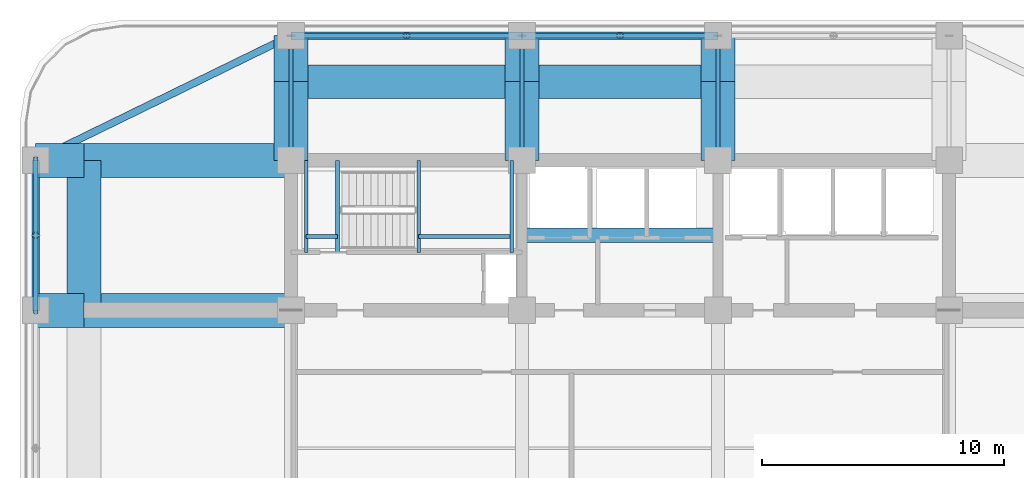
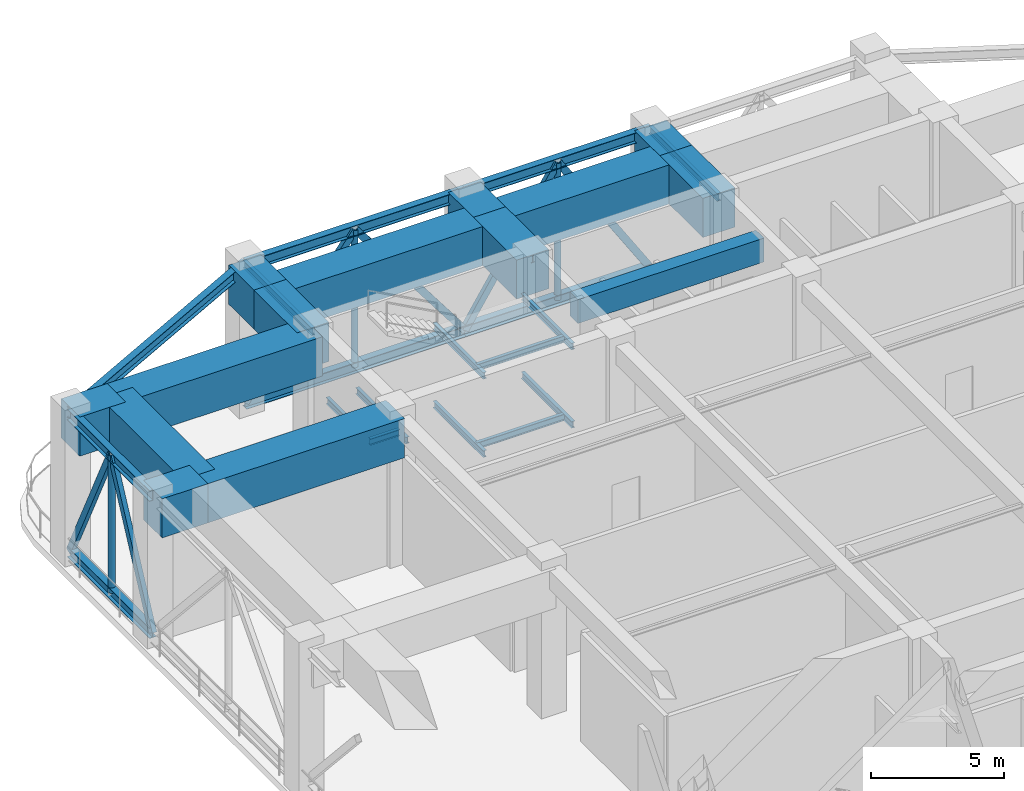
# One storey, part 8 of 20: 33 beams, 9 members.
"""IFC4 building model written with IfcOpenShell, lengths in metres."""

from ifc_helpers import new_model, si_unit, direction, frame, origin, origin_2d, place, context, subcontext, project, spatial, rectangle, hollow_rectangle, hollow_circle, i_section, extrude, material, material_profile, profile_set, type_object, element, save


model = new_model("IFC4")

# Units and contexts
model_context = context("Model", 3, precision=1e-05, world=origin(), true_north=direction((0.0, 1.0)))
body_context = subcontext(model_context, "Body", "Model", "MODEL_VIEW")
ifc_project = project(units=[si_unit("LENGTHUNIT", "METRE"), si_unit("AREAUNIT", "SQUARE_METRE"), si_unit("VOLUMEUNIT", "CUBIC_METRE"), si_unit("PLANEANGLEUNIT", "RADIAN"), si_unit("MASSUNIT", "GRAM", prefix="KILO")], contexts=[model_context])

# Site, building, storey
site_placement = place(None, origin())
site = spatial("IfcSite", under=ifc_project, at=site_placement, CompositionType="ELEMENT")
building_placement = place(site_placement, origin())
building = spatial("IfcBuilding", under=site, at=building_placement, Name="Svetorya Sky Lyceum", CompositionType="ELEMENT")
storey_placement = place(building_placement, frame((0.0, 0.0, 136.39990234375)))
storey = spatial("IfcBuildingStorey", under=building, at=storey_placement, Name="L34", CompositionType="ELEMENT", Elevation=136.39990234375)

# Beams
ifc_material_1 = material(Name="Concrete C60/75", Category="concrete")
ifc_material_profile_1 = material_profile(ifc_material_1, rectangle(XDim=0.60009765625, YDim=1.10009765625, at=origin_2d()), Name="RC COUPLING 600x1100")
ifc_profile_set_1 = profile_set([ifc_material_profile_1], Name="Concrete C60/75")
beam_type_1 = type_object("IfcBeamType", Name="BM-CPL-1100", PredefinedType="LINTEL", material=ifc_profile_set_1)
beam_1_placement = place(storey_placement, frame((35.14990234375, 42.699951171875, 6.25), z_axis=(1.0, 0.0, 0.0), x_axis=(0.0, 1.0, 0.0)))
element("IfcBeam", 1, at=beam_1_placement, inside=storey, type_object=beam_type_1, Name="L34 NC Core Coupling Beam", PredefinedType="LINTEL", context=body_context, shape_type="SweptSolid", body=[
    extrude(rectangle(XDim=0.60009765625, YDim=1.10009765625, at=origin_2d()), origin(), (0.0, 0.0, 1.0), 8.10009765625),
])
ifc_material_2 = material(Name="Steel S355", Category="steel")
ifc_material_profile_2 = material_profile(ifc_material_2, i_section(OverallWidth=0.14990234375, OverallDepth=0.299072265625, WebThickness=0.006591796875, FlangeThickness=0.010498046875, at=origin_2d()), Name="GOST 30B2")
ifc_profile_set_2 = profile_set([ifc_material_profile_2], Name="Steel S355")
beam_type_2 = type_object("IfcBeamType", Name="BM-STL-30B2", PredefinedType="JOIST", material=ifc_profile_set_2)
for number, where, z_axis, x_axis, name in (
    (2, (30.8798828125, 42.0, 1.45068359375), (0.0, 1.0, 0.0), (-1.0, 0.0, 0.0), "L34 Stair ST-N Half-Landing Support Beam 38.1"),
    (3, (34.719970703125, 42.0, 1.45068359375), (0.0, 1.0, 0.0), (-1.0, 0.0, 0.0), "L34 Stair ST-N Half-Landing Support Beam 38.2"),
):
    element("IfcBeam", number, at=place(storey_placement, frame(where, z_axis=z_axis, x_axis=x_axis)), inside=storey, type_object=beam_type_2, Name=name, PredefinedType="JOIST", context=body_context, shape_type="SweptSolid", body=[
        extrude(i_section(OverallWidth=0.14990234375, OverallDepth=0.299072265625, WebThickness=0.006591796875, FlangeThickness=0.010498046875, at=origin_2d()), origin(), (0.0, 0.0, 1.0), 3.800048828125),
    ])
beam_2_placement = place(storey_placement, frame((30.8798828125, 42.64990234375, 1.45068359375), z_axis=(1.0, 0.0, 0.0), x_axis=(0.0, 1.0, 0.0)))
element("IfcBeam", 4, at=beam_2_placement, inside=storey, type_object=beam_type_2, Name="L34 Stair ST-N Half-Landing Cross Tie 38", PredefinedType="JOIST", context=body_context, shape_type="SweptSolid", body=[
    extrude(i_section(OverallWidth=0.14990234375, OverallDepth=0.299072265625, WebThickness=0.006591796875, FlangeThickness=0.010498046875, at=origin_2d()), origin(), (0.0, 0.0, 1.0), 3.840087890625),
])
for number, where, z_axis, x_axis, name in (
    (5, (26.22998046875, 42.0, 3.25048828125), (0.0, 1.0, 0.0), (-1.0, 0.0, 0.0), "L34 Stair ST-N Half-Landing Support Beam 39.1"),
    (6, (27.52001953125, 42.0, 3.25048828125), (0.0, 1.0, 0.0), (-1.0, 0.0, 0.0), "L34 Stair ST-N Half-Landing Support Beam 39.2"),
):
    element("IfcBeam", number, at=place(storey_placement, frame(where, z_axis=z_axis, x_axis=x_axis)), inside=storey, type_object=beam_type_2, Name=name, PredefinedType="JOIST", context=body_context, shape_type="SweptSolid", body=[
        extrude(i_section(OverallWidth=0.14990234375, OverallDepth=0.299072265625, WebThickness=0.006591796875, FlangeThickness=0.010498046875, at=origin_2d()), origin(), (0.0, 0.0, 1.0), 3.800048828125),
    ])
beam_3_placement = place(storey_placement, frame((26.22998046875, 42.64990234375, 3.25048828125), z_axis=(1.0, 0.0, 0.0), x_axis=(0.0, 1.0, 0.0)))
element("IfcBeam", 7, at=beam_3_placement, inside=storey, type_object=beam_type_2, Name="L34 Stair ST-N Half-Landing Cross Tie 39", PredefinedType="JOIST", context=body_context, shape_type="SweptSolid", body=[
    extrude(i_section(OverallWidth=0.14990234375, OverallDepth=0.299072265625, WebThickness=0.006591796875, FlangeThickness=0.010498046875, at=origin_2d()), origin(), (0.0, 0.0, 1.0), 1.2900390625),
])
for number, where, z_axis, x_axis, name in (
    (8, (30.8798828125, 42.0, 5.050537109375), (0.0, 1.0, 0.0), (-1.0, 0.0, 0.0), "L34 Stair ST-N Half-Landing Support Beam 40.1"),
    (9, (34.719970703125, 42.0, 5.050537109375), (0.0, 1.0, 0.0), (-1.0, 0.0, 0.0), "L34 Stair ST-N Half-Landing Support Beam 40.2"),
):
    element("IfcBeam", number, at=place(storey_placement, frame(where, z_axis=z_axis, x_axis=x_axis)), inside=storey, type_object=beam_type_2, Name=name, PredefinedType="JOIST", context=body_context, shape_type="SweptSolid", body=[
        extrude(i_section(OverallWidth=0.14990234375, OverallDepth=0.299072265625, WebThickness=0.006591796875, FlangeThickness=0.010498046875, at=origin_2d()), origin(), (0.0, 0.0, 1.0), 3.800048828125),
    ])
beam_4_placement = place(storey_placement, frame((30.8798828125, 42.64990234375, 5.050537109375), z_axis=(1.0, 0.0, 0.0), x_axis=(0.0, 1.0, 0.0)))
element("IfcBeam", 10, at=beam_4_placement, inside=storey, type_object=beam_type_2, Name="L34 Stair ST-N Half-Landing Cross Tie 40", PredefinedType="JOIST", context=body_context, shape_type="SweptSolid", body=[
    extrude(i_section(OverallWidth=0.14990234375, OverallDepth=0.299072265625, WebThickness=0.006591796875, FlangeThickness=0.010498046875, at=origin_2d()), origin(), (0.0, 0.0, 1.0), 3.840087890625),
])
ifc_material_profile_3 = material_profile(ifc_material_2, i_section(OverallWidth=0.155029296875, OverallDepth=0.34912109375, WebThickness=0.007080078125, FlangeThickness=0.011474609375, at=origin_2d()), Name="GOST 35B2")
ifc_profile_set_3 = profile_set([ifc_material_profile_3], Name="Steel S355")
beam_type_3 = type_object("IfcBeamType", Name="BM-STL-35B2", PredefinedType="JOIST", material=ifc_profile_set_3)
for number, where, z_axis, x_axis, name in (
    (11, (25.60009765625, 45.800048828125, 6.62548828125), (0.0, 1.0, 0.0), (-1.0, 0.0, 0.0), "L34 North Bay Floor Girder N1"),
    (12, (35.14990234375, 45.800048828125, 6.62548828125), (0.0, 1.0, 0.0), (-1.0, 0.0, 0.0), "L34 North Bay Floor Girder N2"),
    (13, (43.25, 45.800048828125, 6.62548828125), (0.0, 1.0, 0.0), (-1.0, 0.0, 0.0), "L34 North Bay Floor Girder N3"),
):
    element("IfcBeam", number, at=place(storey_placement, frame(where, z_axis=z_axis, x_axis=x_axis)), inside=storey, type_object=beam_type_3, Name=name, PredefinedType="JOIST", context=body_context, shape_type="SweptSolid", body=[
        extrude(i_section(OverallWidth=0.155029296875, OverallDepth=0.34912109375, WebThickness=0.007080078125, FlangeThickness=0.011474609375, at=origin_2d()), origin(), (0.0, 0.0, 1.0), 5.14990234375),
    ])
ifc_material_profile_4 = material_profile(ifc_material_2, i_section(OverallWidth=0.300048828125, OverallDepth=0.491943359375, WebThickness=0.012939453125, FlangeThickness=0.0205078125, at=origin_2d()), Name="GOST 50Sh2")
ifc_profile_set_4 = profile_set([ifc_material_profile_4], Name="Steel S355")
beam_type_4 = type_object("IfcBeamType", Name="BM-STL-50SH2", PredefinedType="BEAM", material=ifc_profile_set_4)
for number, where, z_axis, x_axis, name in (
    (14, (25.60009765625, 50.949951171875, 0.24609375), (1.0, 0.0, 0.0), (0.0, 1.0, 0.0), "L34 Belt Truss Bottom Chord N-1"),
    (15, (25.60009765625, 50.949951171875, 6.55419921875), (1.0, 0.0, 0.0), (0.0, 1.0, 0.0), "L34 Belt Truss Top Chord N-1"),
):
    element("IfcBeam", number, at=place(storey_placement, frame(where, z_axis=z_axis, x_axis=x_axis)), inside=storey, type_object=beam_type_4, Name=name, PredefinedType="BEAM", context=body_context, shape_type="SweptSolid", body=[
        extrude(i_section(OverallWidth=0.300048828125, OverallDepth=0.491943359375, WebThickness=0.012939453125, FlangeThickness=0.0205078125, at=origin_2d()), origin(), (0.0, 0.0, 1.0), 9.5498046875),
    ])
for number, where, z_axis, x_axis, name in (
    (16, (35.14990234375, 50.949951171875, 0.24609375), (1.0, 0.0, 0.0), (0.0, 1.0, 0.0), "L34 Belt Truss Bottom Chord N-2"),
    (17, (35.14990234375, 50.949951171875, 6.55419921875), (1.0, 0.0, 0.0), (0.0, 1.0, 0.0), "L34 Belt Truss Top Chord N-2"),
):
    element("IfcBeam", number, at=place(storey_placement, frame(where, z_axis=z_axis, x_axis=x_axis)), inside=storey, type_object=beam_type_4, Name=name, PredefinedType="BEAM", context=body_context, shape_type="SweptSolid", body=[
        extrude(i_section(OverallWidth=0.300048828125, OverallDepth=0.491943359375, WebThickness=0.012939453125, FlangeThickness=0.0205078125, at=origin_2d()), origin(), (0.0, 0.0, 1.0), 8.10009765625),
    ])
for number, where, z_axis, x_axis, name in (
    (18, (15.050048828125, 39.60009765625, 0.24609375), (0.0, 1.0, 0.0), (-1.0, 0.0, 0.0), "L34 Belt Truss Bottom Chord W-4"),
    (19, (15.050048828125, 39.60009765625, 6.55419921875), (0.0, 1.0, 0.0), (-1.0, 0.0, 0.0), "L34 Belt Truss Top Chord W-4"),
):
    element("IfcBeam", number, at=place(storey_placement, frame(where, z_axis=z_axis, x_axis=x_axis)), inside=storey, type_object=beam_type_4, Name=name, PredefinedType="BEAM", context=body_context, shape_type="SweptSolid", body=[
        extrude(i_section(OverallWidth=0.300048828125, OverallDepth=0.491943359375, WebThickness=0.012939453125, FlangeThickness=0.0205078125, at=origin_2d()), origin(), (0.0, 0.0, 1.0), 6.199951171875),
    ])
beam_5_placement = place(storey_placement, frame((15.050048828125, 45.800048828125, 6.55419921875), z_axis=(0.898649693653, 0.438666989978, 0.0), x_axis=(-0.438666989978, 0.898649693653, 0.0)))
element("IfcBeam", 20, at=beam_5_placement, inside=storey, type_object=beam_type_4, Name="L34 Belt Truss Corner Tie 4", PredefinedType="BEAM", context=body_context, shape_type="SweptSolid", body=[
    extrude(i_section(OverallWidth=0.300048828125, OverallDepth=0.491943359375, WebThickness=0.012939453125, FlangeThickness=0.0205078125, at=origin_2d()), origin(), (0.0, 0.0, 1.0), 11.739990234375),
])
ifc_material_profile_5 = material_profile(ifc_material_1, rectangle(XDim=1.39990234375, YDim=1.800048828125, at=origin_2d()), Name="RC TRANSFER 1400x1800")
ifc_profile_set_5 = profile_set([ifc_material_profile_5], Name="Concrete C60/75")
beam_type_5 = type_object("IfcBeamType", Name="BM-TRF-2200", PredefinedType="BEAM", material=ifc_profile_set_5)
beam_6_placement = place(storey_placement, frame((15.050048828125, 39.60009765625, 5.900146484375), z_axis=(1.0, 0.0, 0.0), x_axis=(0.0, 1.0, 0.0)))
element("IfcBeam", 21, at=beam_6_placement, inside=storey, type_object=beam_type_5, Name="L34 West Outer Transfer Girder 4", PredefinedType="BEAM", context=body_context, shape_type="SweptSolid", body=[
    extrude(rectangle(XDim=1.39990234375, YDim=1.800048828125, at=origin_2d()), origin(), (0.0, 0.0, 1.0), 2.0),
])
beam_7_placement = place(storey_placement, frame((17.050048828125, 39.60009765625, 5.900146484375), z_axis=(1.0, 0.0, 0.0), x_axis=(0.0, 1.0, 0.0)))
element("IfcBeam", 22, at=beam_7_placement, inside=storey, type_object=beam_type_5, Name="L34 West Inner Transfer Girder 4", PredefinedType="BEAM", context=body_context, shape_type="SweptSolid", body=[
    extrude(rectangle(XDim=1.39990234375, YDim=1.800048828125, at=origin_2d()), origin(), (0.0, 0.0, 1.0), 8.550048828125),
])
beam_8_placement = place(storey_placement, frame((15.050048828125, 45.800048828125, 5.900146484375), z_axis=(1.0, 0.0, 0.0), x_axis=(0.0, 1.0, 0.0)))
element("IfcBeam", 23, at=beam_8_placement, inside=storey, type_object=beam_type_5, Name="L34 West Outer Transfer Girder 5", PredefinedType="BEAM", context=body_context, shape_type="SweptSolid", body=[
    extrude(rectangle(XDim=1.39990234375, YDim=1.800048828125, at=origin_2d()), origin(), (0.0, 0.0, 1.0), 2.0),
])
beam_9_placement = place(storey_placement, frame((17.050048828125, 45.800048828125, 5.900146484375), z_axis=(1.0, 0.0, 0.0), x_axis=(0.0, 1.0, 0.0)))
element("IfcBeam", 24, at=beam_9_placement, inside=storey, type_object=beam_type_5, Name="L34 West Inner Transfer Girder 5", PredefinedType="BEAM", context=body_context, shape_type="SweptSolid", body=[
    extrude(rectangle(XDim=1.39990234375, YDim=1.800048828125, at=origin_2d()), origin(), (0.0, 0.0, 1.0), 8.550048828125),
])
beam_10_placement = place(storey_placement, frame((17.050048828125, 39.60009765625, 5.900146484375), z_axis=(0.0, 1.0, 0.0), x_axis=(-1.0, 0.0, 0.0)))
element("IfcBeam", 25, at=beam_10_placement, inside=storey, type_object=beam_type_5, Name="L34 West Setback Transfer Girder 4", PredefinedType="BEAM", context=body_context, shape_type="SweptSolid", body=[
    extrude(rectangle(XDim=1.39990234375, YDim=1.800048828125, at=origin_2d()), origin(), (0.0, 0.0, 1.0), 6.199951171875),
])
beam_11_placement = place(storey_placement, frame((25.60009765625, 45.800048828125, 5.900146484375), z_axis=(0.0, 1.0, 0.0), x_axis=(-1.0, 0.0, 0.0)))
element("IfcBeam", 26, at=beam_11_placement, inside=storey, type_object=beam_type_5, Name="L34 North Inner Transfer Girder 1", PredefinedType="BEAM", context=body_context, shape_type="SweptSolid", body=[
    extrude(rectangle(XDim=1.39990234375, YDim=1.800048828125, at=origin_2d()), origin(), (0.0, 0.0, 1.0), 3.25),
])
beam_12_placement = place(storey_placement, frame((25.60009765625, 49.050048828125, 5.900146484375), z_axis=(0.0, 1.0, 0.0), x_axis=(-1.0, 0.0, 0.0)))
element("IfcBeam", 27, at=beam_12_placement, inside=storey, type_object=beam_type_5, Name="L34 North Outer Transfer Girder 1", PredefinedType="BEAM", context=body_context, shape_type="SweptSolid", body=[
    extrude(rectangle(XDim=1.39990234375, YDim=1.800048828125, at=origin_2d()), origin(), (0.0, 0.0, 1.0), 1.89990234375),
])
beam_13_placement = place(storey_placement, frame((35.14990234375, 45.800048828125, 5.900146484375), z_axis=(0.0, 1.0, 0.0), x_axis=(-1.0, 0.0, 0.0)))
element("IfcBeam", 28, at=beam_13_placement, inside=storey, type_object=beam_type_5, Name="L34 North Inner Transfer Girder 2", PredefinedType="BEAM", context=body_context, shape_type="SweptSolid", body=[
    extrude(rectangle(XDim=1.39990234375, YDim=1.800048828125, at=origin_2d()), origin(), (0.0, 0.0, 1.0), 3.25),
])
beam_14_placement = place(storey_placement, frame((35.14990234375, 49.050048828125, 5.900146484375), z_axis=(0.0, 1.0, 0.0), x_axis=(-1.0, 0.0, 0.0)))
element("IfcBeam", 29, at=beam_14_placement, inside=storey, type_object=beam_type_5, Name="L34 North Outer Transfer Girder 2", PredefinedType="BEAM", context=body_context, shape_type="SweptSolid", body=[
    extrude(rectangle(XDim=1.39990234375, YDim=1.800048828125, at=origin_2d()), origin(), (0.0, 0.0, 1.0), 1.89990234375),
])
beam_15_placement = place(storey_placement, frame((43.25, 45.800048828125, 5.900146484375), z_axis=(0.0, 1.0, 0.0), x_axis=(-1.0, 0.0, 0.0)))
element("IfcBeam", 30, at=beam_15_placement, inside=storey, type_object=beam_type_5, Name="L34 North Inner Transfer Girder 3", PredefinedType="BEAM", context=body_context, shape_type="SweptSolid", body=[
    extrude(rectangle(XDim=1.39990234375, YDim=1.800048828125, at=origin_2d()), origin(), (0.0, 0.0, 1.0), 3.25),
])
beam_16_placement = place(storey_placement, frame((43.25, 49.050048828125, 5.900146484375), z_axis=(0.0, 1.0, 0.0), x_axis=(-1.0, 0.0, 0.0)))
element("IfcBeam", 31, at=beam_16_placement, inside=storey, type_object=beam_type_5, Name="L34 North Outer Transfer Girder 3", PredefinedType="BEAM", context=body_context, shape_type="SweptSolid", body=[
    extrude(rectangle(XDim=1.39990234375, YDim=1.800048828125, at=origin_2d()), origin(), (0.0, 0.0, 1.0), 1.89990234375),
])
beam_17_placement = place(storey_placement, frame((25.60009765625, 49.050048828125, 5.900146484375), z_axis=(1.0, 0.0, 0.0), x_axis=(0.0, 1.0, 0.0)))
element("IfcBeam", 32, at=beam_17_placement, inside=storey, type_object=beam_type_5, Name="L34 North Setback Transfer Girder 1", PredefinedType="BEAM", context=body_context, shape_type="SweptSolid", body=[
    extrude(rectangle(XDim=1.39990234375, YDim=1.800048828125, at=origin_2d()), origin(), (0.0, 0.0, 1.0), 9.5498046875),
])
beam_18_placement = place(storey_placement, frame((35.14990234375, 49.050048828125, 5.900146484375), z_axis=(1.0, 0.0, 0.0), x_axis=(0.0, 1.0, 0.0)))
element("IfcBeam", 33, at=beam_18_placement, inside=storey, type_object=beam_type_5, Name="L34 North Setback Transfer Girder 2", PredefinedType="BEAM", context=body_context, shape_type="SweptSolid", body=[
    extrude(rectangle(XDim=1.39990234375, YDim=1.800048828125, at=origin_2d()), origin(), (0.0, 0.0, 1.0), 8.10009765625),
])

# Members
ifc_material_profile_6 = material_profile(ifc_material_2, hollow_rectangle(XDim=0.199951171875, YDim=0.300048828125, WallThickness=0.011962890625, at=origin_2d()), Name="RHS 300x200x12")
ifc_profile_set_6 = profile_set([ifc_material_profile_6], Name="Steel S355")
member_type_1 = type_object("IfcMemberType", Name="MB-BRC-RHS300", PredefinedType="BRACE", material=ifc_profile_set_6)
for number, where, z_axis, x_axis, name in (
    (34, (25.60009765625, 50.949951171875, 0.24609375), (0.603539184165, 0.0, 0.79733333881), (0.0, 1.0, 0.0), "L34 Belt Truss Diagonal N-1A"),
    (35, (35.14990234375, 50.949951171875, 0.24609375), (-0.603539184165, 0.0, 0.79733333881), (0.0, -1.0, 0.0), "L34 Belt Truss Diagonal N-1B"),
):
    element("IfcMember", number, at=place(storey_placement, frame(where, z_axis=z_axis, x_axis=x_axis)), inside=storey, type_object=member_type_1, Name=name, PredefinedType="BRACE", context=body_context, shape_type="SweptSolid", body=[
        extrude(hollow_rectangle(XDim=0.199951171875, YDim=0.300048828125, WallThickness=0.011962890625, at=origin_2d()), origin(), (0.0, 0.0, 1.0), 7.91162109375),
    ])
for number, where, z_axis, x_axis, name in (
    (36, (35.14990234375, 50.949951171875, 0.24609375), (0.540270274168, 0.0, 0.841491551265), (0.0, 1.0, 0.0), "L34 Belt Truss Diagonal N-2A"),
    (37, (43.25, 50.949951171875, 0.24609375), (-0.540270274168, 0.0, 0.841491551265), (0.0, -1.0, 0.0), "L34 Belt Truss Diagonal N-2B"),
):
    element("IfcMember", number, at=place(storey_placement, frame(where, z_axis=z_axis, x_axis=x_axis)), inside=storey, type_object=member_type_1, Name=name, PredefinedType="BRACE", context=body_context, shape_type="SweptSolid", body=[
        extrude(hollow_rectangle(XDim=0.199951171875, YDim=0.300048828125, WallThickness=0.011962890625, at=origin_2d()), origin(), (0.0, 0.0, 1.0), 7.496337890625),
    ])
member_1_placement = place(storey_placement, frame((15.050048828125, 39.60009765625, 0.24609375), z_axis=(0.0, 0.441033970868, 0.897490410278), x_axis=(-1.0, 0.0, 0.0)))
element("IfcMember", 38, at=member_1_placement, inside=storey, type_object=member_type_1, Name="L34 Belt Truss Diagonal W-4A", PredefinedType="BRACE", context=body_context, shape_type="SweptSolid", body=[
    extrude(hollow_rectangle(XDim=0.199951171875, YDim=0.300048828125, WallThickness=0.011962890625, at=origin_2d()), origin(), (0.0, 0.0, 1.0), 7.028564453125),
])
member_2_placement = place(storey_placement, frame((15.050048828125, 45.800048828125, 0.24609375), z_axis=(0.0, -0.44106194912, 0.897476660999), x_axis=(1.0, 0.0, 0.0)))
element("IfcMember", 39, at=member_2_placement, inside=storey, type_object=member_type_1, Name="L34 Belt Truss Diagonal W-4B", PredefinedType="BRACE", context=body_context, shape_type="SweptSolid", body=[
    extrude(hollow_rectangle(XDim=0.199951171875, YDim=0.300048828125, WallThickness=0.011962890625, at=origin_2d()), origin(), (0.0, 0.0, 1.0), 7.02880859375),
])
ifc_material_profile_7 = material_profile(ifc_material_2, hollow_circle(Radius=0.136474609375, WallThickness=0.011962890625, at=origin_2d()), Name="CHS 273x12")
ifc_profile_set_7 = profile_set([ifc_material_profile_7], Name="Steel S355")
member_type_2 = type_object("IfcMemberType", Name="MB-STR-CHS273", PredefinedType="STRUT", material=ifc_profile_set_7)
for number, where, z_axis, x_axis, name in (
    (40, (30.375, 50.949951171875, 0.24609375), (0.0, 0.0, 1.0), (1.0, 0.0, 0.0), "L34 Belt Truss Post N-1"),
    (41, (39.199951171875, 50.949951171875, 0.24609375), (0.0, 0.0, 1.0), (1.0, 0.0, 0.0), "L34 Belt Truss Post N-2"),
    (42, (15.050048828125, 42.699951171875, 0.24609375), (0.0, 0.0, 1.0), (1.0, 0.0, 0.0), "L34 Belt Truss Post W-4"),
):
    element("IfcMember", number, at=place(storey_placement, frame(where, z_axis=z_axis, x_axis=x_axis)), inside=storey, type_object=member_type_2, Name=name, PredefinedType="STRUT", context=body_context, shape_type="SweptSolid", body=[
        extrude(hollow_circle(Radius=0.136474609375, WallThickness=0.011962890625, at=origin_2d()), origin(), (0.0, 0.0, 1.0), 6.30810546875),
    ])

save(model, "model.ifc")
